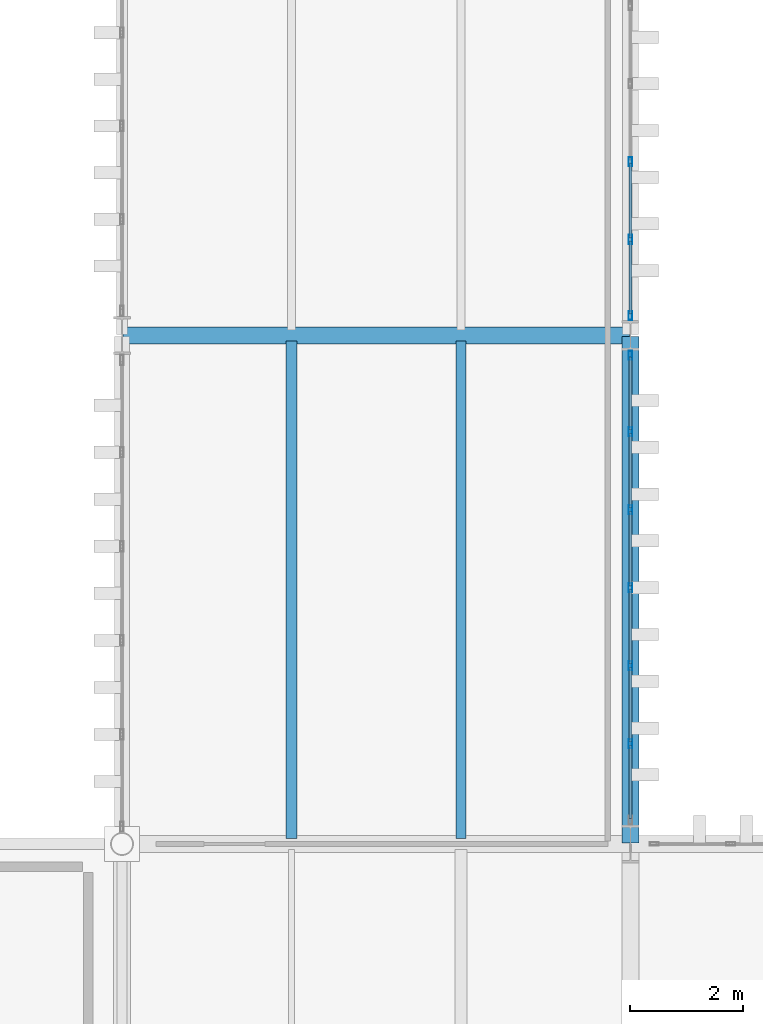
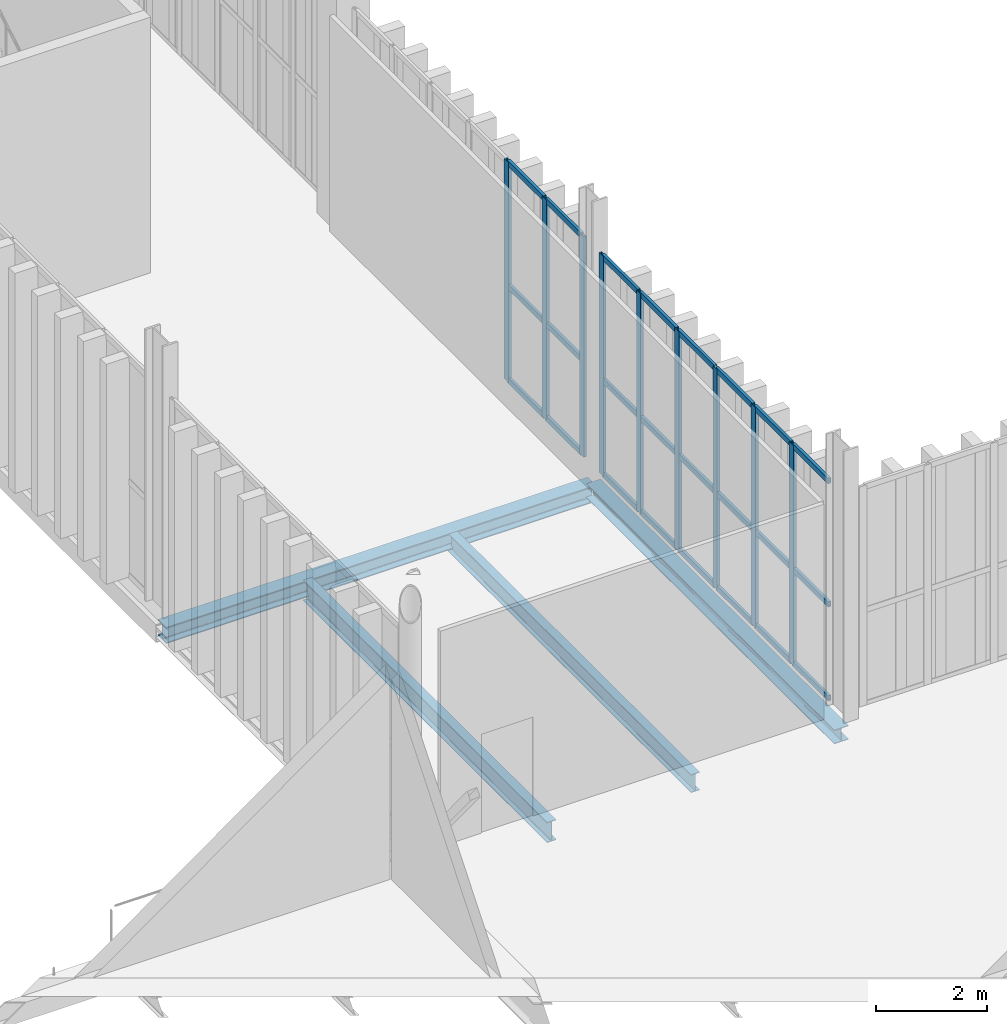
# One storey, part 136 of 237: 33 members, 4 beams, 2 elements without a shape of their own.
"""IFC4 building model written with IfcOpenShell, lengths in metres."""

from ifc_helpers import new_model, si_unit, direction, frame, origin, origin_2d, place, context, subcontext, project, spatial, hollow_rectangle, i_section, extrude, material, layer, layer_set, material_profile, profile_set, type_object, element, aggregate, save


model = new_model("IFC4")

# Units and contexts
model_context = context("Model", 3, precision=1e-05, world=origin(), true_north=direction((0.0, 1.0)))
body_context = subcontext(model_context, "Body", "Model", "MODEL_VIEW")
ifc_project = project(units=[si_unit("LENGTHUNIT", "METRE"), si_unit("AREAUNIT", "SQUARE_METRE"), si_unit("VOLUMEUNIT", "CUBIC_METRE"), si_unit("PLANEANGLEUNIT", "RADIAN"), si_unit("MASSUNIT", "GRAM", prefix="KILO")], contexts=[model_context])

# Site, building, storey
site_placement = place(None, origin())
site = spatial("IfcSite", under=ifc_project, at=site_placement, CompositionType="ELEMENT")
building_placement = place(site_placement, origin())
building = spatial("IfcBuilding", under=site, at=building_placement, Name="Barlavento Convention Centre", CompositionType="ELEMENT")
storey_placement = place(building_placement, frame((0.0, 0.0, 12.0)))
storey = spatial("IfcBuildingStorey", under=building, at=storey_placement, Name="L02", CompositionType="ELEMENT", Elevation=12.0)

# Curtain wall, members
ifc_material_1 = material(Name="Powder-coated aluminium and Low-E glass", Category="aluminium")
ifc_layer = layer(ifc_material_1, 0.195068359375)
ifc_layer_set = layer_set([ifc_layer], Name="ARC-CW-PATIO-A")
curtain_wall_type = type_object("IfcCurtainWallType", Name="ARC-CW-PATIO-A", PredefinedType="NOTDEFINED", material=ifc_layer_set)
curtain_wall_1_placement = place(storey_placement, origin())
curtain_wall_1 = element("IfcCurtainWall", 1, at=curtain_wall_1_placement, inside=storey, type_object=curtain_wall_type, Name="L02 unitised curtain wall CW11", PredefinedType="NOTDEFINED")
ifc_material_2 = material(Name="Powder-coated aluminium", Category="aluminium")
ifc_material_profile_1 = material_profile(ifc_material_2, hollow_rectangle(XDim=0.06005859375, YDim=0.159912109375, WallThickness=0.00390625, at=origin_2d()), Name="AL-MULL 60x160x4")
ifc_profile_set_1 = profile_set([ifc_material_profile_1], Name="Powder-coated aluminium")
member_type_1 = type_object("IfcMemberType", Name="ARC-CWM-60X160", PredefinedType="MULLION", material=ifc_profile_set_1)
member_1_placement = place(storey_placement, frame((135.0, 64.774658203125, 0.0), z_axis=(0.0, 0.0, 1.0), x_axis=(-1.0, 0.0, 0.0)))
member_1 = element("IfcMember", 2, at=member_1_placement, type_object=member_type_1, Name="CW11 mullion 2", PredefinedType="MULLION", context=body_context, shape_type="SweptSolid", body=[
    extrude(hollow_rectangle(XDim=0.06005859375, YDim=0.159912109375, WallThickness=0.00390625, at=origin_2d()), origin(), (0.0, 0.0, 1.0), 4.85009765625),
])
member_2_placement = place(storey_placement, frame((135.0, 66.1552734375, 0.0), z_axis=(0.0, 0.0, 1.0), x_axis=(-1.0, 0.0, 0.0)))
member_2 = element("IfcMember", 3, at=member_2_placement, type_object=member_type_1, Name="CW11 mullion 3", PredefinedType="MULLION", context=body_context, shape_type="SweptSolid", body=[
    extrude(hollow_rectangle(XDim=0.06005859375, YDim=0.159912109375, WallThickness=0.00390625, at=origin_2d()), origin(), (0.0, 0.0, 1.0), 4.85009765625),
])
member_3_placement = place(storey_placement, frame((135.0, 67.535888671875, 0.0), z_axis=(0.0, 0.0, 1.0), x_axis=(-1.0, 0.0, 0.0)))
member_3 = element("IfcMember", 4, at=member_3_placement, type_object=member_type_1, Name="CW11 mullion 4", PredefinedType="MULLION", context=body_context, shape_type="SweptSolid", body=[
    extrude(hollow_rectangle(XDim=0.06005859375, YDim=0.159912109375, WallThickness=0.00390625, at=origin_2d()), origin(), (0.0, 0.0, 1.0), 4.85009765625),
])
member_4_placement = place(storey_placement, frame((135.0, 68.916748046875, 0.0), z_axis=(0.0, 0.0, 1.0), x_axis=(-1.0, 0.0, 0.0)))
member_4 = element("IfcMember", 5, at=member_4_placement, type_object=member_type_1, Name="CW11 mullion 5", PredefinedType="MULLION", context=body_context, shape_type="SweptSolid", body=[
    extrude(hollow_rectangle(XDim=0.06005859375, YDim=0.159912109375, WallThickness=0.00390625, at=origin_2d()), origin(), (0.0, 0.0, 1.0), 4.85009765625),
])
member_5_placement = place(storey_placement, frame((135.0, 70.29736328125, 0.0), z_axis=(0.0, 0.0, 1.0), x_axis=(-1.0, 0.0, 0.0)))
member_5 = element("IfcMember", 6, at=member_5_placement, type_object=member_type_1, Name="CW11 mullion 6", PredefinedType="MULLION", context=body_context, shape_type="SweptSolid", body=[
    extrude(hollow_rectangle(XDim=0.06005859375, YDim=0.159912109375, WallThickness=0.00390625, at=origin_2d()), origin(), (0.0, 0.0, 1.0), 4.85009765625),
])
member_6_placement = place(storey_placement, frame((135.0, 71.64794921875, 0.0), z_axis=(0.0, 0.0, 1.0), x_axis=(-1.0, 0.0, 0.0)))
member_6 = element("IfcMember", 7, at=member_6_placement, type_object=member_type_1, Name="CW11 mullion 7", PredefinedType="MULLION", context=body_context, shape_type="SweptSolid", body=[
    extrude(hollow_rectangle(XDim=0.06005859375, YDim=0.159912109375, WallThickness=0.00390625, at=origin_2d()), origin(), (0.0, 0.0, 1.0), 4.85009765625),
])

curtain_wall_2_placement = place(storey_placement, origin())
curtain_wall_2 = element("IfcCurtainWall", 8, at=curtain_wall_2_placement, inside=storey, type_object=curtain_wall_type, Name="L02 unitised curtain wall CW11", PredefinedType="NOTDEFINED")
member_7_placement = place(storey_placement, frame((135.0, 72.35205078125, 0.0), z_axis=(0.0, 0.0, 1.0), x_axis=(-1.0, 0.0, 0.0)))
member_7 = element("IfcMember", 9, at=member_7_placement, type_object=member_type_1, Name="CW11 mullion 1", PredefinedType="MULLION", context=body_context, shape_type="SweptSolid", body=[
    extrude(hollow_rectangle(XDim=0.06005859375, YDim=0.159912109375, WallThickness=0.00390625, at=origin_2d()), origin(), (0.0, 0.0, 1.0), 4.85009765625),
])
member_8_placement = place(storey_placement, frame((135.0, 73.699951171875, 0.0), z_axis=(0.0, 0.0, 1.0), x_axis=(-1.0, 0.0, 0.0)))
member_8 = element("IfcMember", 10, at=member_8_placement, type_object=member_type_1, Name="CW11 mullion 2", PredefinedType="MULLION", context=body_context, shape_type="SweptSolid", body=[
    extrude(hollow_rectangle(XDim=0.06005859375, YDim=0.159912109375, WallThickness=0.00390625, at=origin_2d()), origin(), (0.0, 0.0, 1.0), 4.85009765625),
])
member_9_placement = place(storey_placement, frame((135.0, 75.077880859375, 0.0), z_axis=(0.0, 0.0, 1.0), x_axis=(-1.0, 0.0, 0.0)))
member_9 = element("IfcMember", 11, at=member_9_placement, type_object=member_type_1, Name="CW11 mullion 3", PredefinedType="MULLION", context=body_context, shape_type="SweptSolid", body=[
    extrude(hollow_rectangle(XDim=0.06005859375, YDim=0.159912109375, WallThickness=0.00390625, at=origin_2d()), origin(), (0.0, 0.0, 1.0), 4.85009765625),
])

# Member
ifc_material_profile_2 = material_profile(ifc_material_2, hollow_rectangle(XDim=0.06005859375, YDim=0.1201171875, WallThickness=0.00390625, at=origin_2d()), Name="AL-TRAN 60x120x4")
ifc_profile_set_2 = profile_set([ifc_material_profile_2], Name="Powder-coated aluminium")
member_type_2 = type_object("IfcMemberType", Name="ARC-CWT-60X120", PredefinedType="USERDEFINED", material=ifc_profile_set_2)
member_10_placement = place(storey_placement, frame((135.0, 63.4541015625, 0.030029296875), z_axis=(0.0, 1.0, 0.0), x_axis=(-1.0, 0.0, 0.0)))
member_10 = element("IfcMember", 12, at=member_10_placement, type_object=member_type_2, Name="CW11 transom 1.1", ObjectType="TRANSOM", PredefinedType="USERDEFINED", context=body_context, shape_type="SweptSolid", body=[
    extrude(hollow_rectangle(XDim=0.06005859375, YDim=0.1201171875, WallThickness=0.00390625, at=origin_2d()), origin(), (0.0, 0.0, 1.0), 1.29052734375),
])

member_11_placement = place(storey_placement, frame((135.0, 63.4541015625, 2.10009765625), z_axis=(0.0, 1.0, 0.0), x_axis=(-1.0, 0.0, 0.0)))
member_11 = element("IfcMember", 13, at=member_11_placement, type_object=member_type_2, Name="CW11 transom 1.2", ObjectType="TRANSOM", PredefinedType="USERDEFINED", context=body_context, shape_type="SweptSolid", body=[
    extrude(hollow_rectangle(XDim=0.06005859375, YDim=0.1201171875, WallThickness=0.00390625, at=origin_2d()), origin(), (0.0, 0.0, 1.0), 1.29052734375),
])

member_12_placement = place(storey_placement, frame((135.0, 63.4541015625, 4.820068359375), z_axis=(0.0, 1.0, 0.0), x_axis=(-1.0, 0.0, 0.0)))
member_12 = element("IfcMember", 14, at=member_12_placement, type_object=member_type_2, Name="CW11 transom 1.3", ObjectType="TRANSOM", PredefinedType="USERDEFINED", context=body_context, shape_type="SweptSolid", body=[
    extrude(hollow_rectangle(XDim=0.06005859375, YDim=0.1201171875, WallThickness=0.00390625, at=origin_2d()), origin(), (0.0, 0.0, 1.0), 1.29052734375),
])

member_13_placement = place(storey_placement, frame((135.0, 64.8046875, 0.030029296875), z_axis=(0.0, 1.0, 0.0), x_axis=(-1.0, 0.0, 0.0)))
member_13 = element("IfcMember", 15, at=member_13_placement, type_object=member_type_2, Name="CW11 transom 2.1", ObjectType="TRANSOM", PredefinedType="USERDEFINED", context=body_context, shape_type="SweptSolid", body=[
    extrude(hollow_rectangle(XDim=0.06005859375, YDim=0.1201171875, WallThickness=0.00390625, at=origin_2d()), origin(), (0.0, 0.0, 1.0), 1.320556640625),
])

member_14_placement = place(storey_placement, frame((135.0, 64.8046875, 2.10009765625), z_axis=(0.0, 1.0, 0.0), x_axis=(-1.0, 0.0, 0.0)))
member_14 = element("IfcMember", 16, at=member_14_placement, type_object=member_type_2, Name="CW11 transom 2.2", ObjectType="TRANSOM", PredefinedType="USERDEFINED", context=body_context, shape_type="SweptSolid", body=[
    extrude(hollow_rectangle(XDim=0.06005859375, YDim=0.1201171875, WallThickness=0.00390625, at=origin_2d()), origin(), (0.0, 0.0, 1.0), 1.320556640625),
])

member_15_placement = place(storey_placement, frame((135.0, 64.8046875, 4.820068359375), z_axis=(0.0, 1.0, 0.0), x_axis=(-1.0, 0.0, 0.0)))
member_15 = element("IfcMember", 17, at=member_15_placement, type_object=member_type_2, Name="CW11 transom 2.3", ObjectType="TRANSOM", PredefinedType="USERDEFINED", context=body_context, shape_type="SweptSolid", body=[
    extrude(hollow_rectangle(XDim=0.06005859375, YDim=0.1201171875, WallThickness=0.00390625, at=origin_2d()), origin(), (0.0, 0.0, 1.0), 1.320556640625),
])

member_16_placement = place(storey_placement, frame((135.0, 66.185302734375, 0.030029296875), z_axis=(0.0, 1.0, 0.0), x_axis=(-1.0, 0.0, 0.0)))
member_16 = element("IfcMember", 18, at=member_16_placement, type_object=member_type_2, Name="CW11 transom 3.1", ObjectType="TRANSOM", PredefinedType="USERDEFINED", context=body_context, shape_type="SweptSolid", body=[
    extrude(hollow_rectangle(XDim=0.06005859375, YDim=0.1201171875, WallThickness=0.00390625, at=origin_2d()), origin(), (0.0, 0.0, 1.0), 1.32080078125),
])

member_17_placement = place(storey_placement, frame((135.0, 66.185302734375, 2.10009765625), z_axis=(0.0, 1.0, 0.0), x_axis=(-1.0, 0.0, 0.0)))
member_17 = element("IfcMember", 19, at=member_17_placement, type_object=member_type_2, Name="CW11 transom 3.2", ObjectType="TRANSOM", PredefinedType="USERDEFINED", context=body_context, shape_type="SweptSolid", body=[
    extrude(hollow_rectangle(XDim=0.06005859375, YDim=0.1201171875, WallThickness=0.00390625, at=origin_2d()), origin(), (0.0, 0.0, 1.0), 1.32080078125),
])

member_18_placement = place(storey_placement, frame((135.0, 66.185302734375, 4.820068359375), z_axis=(0.0, 1.0, 0.0), x_axis=(-1.0, 0.0, 0.0)))
member_18 = element("IfcMember", 20, at=member_18_placement, type_object=member_type_2, Name="CW11 transom 3.3", ObjectType="TRANSOM", PredefinedType="USERDEFINED", context=body_context, shape_type="SweptSolid", body=[
    extrude(hollow_rectangle(XDim=0.06005859375, YDim=0.1201171875, WallThickness=0.00390625, at=origin_2d()), origin(), (0.0, 0.0, 1.0), 1.32080078125),
])

member_19_placement = place(storey_placement, frame((135.0, 67.56591796875, 0.030029296875), z_axis=(0.0, 1.0, 0.0), x_axis=(-1.0, 0.0, 0.0)))
member_19 = element("IfcMember", 21, at=member_19_placement, type_object=member_type_2, Name="CW11 transom 4.1", ObjectType="TRANSOM", PredefinedType="USERDEFINED", context=body_context, shape_type="SweptSolid", body=[
    extrude(hollow_rectangle(XDim=0.06005859375, YDim=0.1201171875, WallThickness=0.00390625, at=origin_2d()), origin(), (0.0, 0.0, 1.0), 1.32080078125),
])

member_20_placement = place(storey_placement, frame((135.0, 67.56591796875, 2.10009765625), z_axis=(0.0, 1.0, 0.0), x_axis=(-1.0, 0.0, 0.0)))
member_20 = element("IfcMember", 22, at=member_20_placement, type_object=member_type_2, Name="CW11 transom 4.2", ObjectType="TRANSOM", PredefinedType="USERDEFINED", context=body_context, shape_type="SweptSolid", body=[
    extrude(hollow_rectangle(XDim=0.06005859375, YDim=0.1201171875, WallThickness=0.00390625, at=origin_2d()), origin(), (0.0, 0.0, 1.0), 1.32080078125),
])

member_21_placement = place(storey_placement, frame((135.0, 67.56591796875, 4.820068359375), z_axis=(0.0, 1.0, 0.0), x_axis=(-1.0, 0.0, 0.0)))
member_21 = element("IfcMember", 23, at=member_21_placement, type_object=member_type_2, Name="CW11 transom 4.3", ObjectType="TRANSOM", PredefinedType="USERDEFINED", context=body_context, shape_type="SweptSolid", body=[
    extrude(hollow_rectangle(XDim=0.06005859375, YDim=0.1201171875, WallThickness=0.00390625, at=origin_2d()), origin(), (0.0, 0.0, 1.0), 1.32080078125),
])

member_22_placement = place(storey_placement, frame((135.0, 68.94677734375, 0.030029296875), z_axis=(0.0, 1.0, 0.0), x_axis=(-1.0, 0.0, 0.0)))
member_22 = element("IfcMember", 24, at=member_22_placement, type_object=member_type_2, Name="CW11 transom 5.1", ObjectType="TRANSOM", PredefinedType="USERDEFINED", context=body_context, shape_type="SweptSolid", body=[
    extrude(hollow_rectangle(XDim=0.06005859375, YDim=0.1201171875, WallThickness=0.00390625, at=origin_2d()), origin(), (0.0, 0.0, 1.0), 1.320556640625),
])

member_23_placement = place(storey_placement, frame((135.0, 68.94677734375, 2.10009765625), z_axis=(0.0, 1.0, 0.0), x_axis=(-1.0, 0.0, 0.0)))
member_23 = element("IfcMember", 25, at=member_23_placement, type_object=member_type_2, Name="CW11 transom 5.2", ObjectType="TRANSOM", PredefinedType="USERDEFINED", context=body_context, shape_type="SweptSolid", body=[
    extrude(hollow_rectangle(XDim=0.06005859375, YDim=0.1201171875, WallThickness=0.00390625, at=origin_2d()), origin(), (0.0, 0.0, 1.0), 1.320556640625),
])

member_24_placement = place(storey_placement, frame((135.0, 68.94677734375, 4.820068359375), z_axis=(0.0, 1.0, 0.0), x_axis=(-1.0, 0.0, 0.0)))
member_24 = element("IfcMember", 26, at=member_24_placement, type_object=member_type_2, Name="CW11 transom 5.3", ObjectType="TRANSOM", PredefinedType="USERDEFINED", context=body_context, shape_type="SweptSolid", body=[
    extrude(hollow_rectangle(XDim=0.06005859375, YDim=0.1201171875, WallThickness=0.00390625, at=origin_2d()), origin(), (0.0, 0.0, 1.0), 1.320556640625),
])

member_25_placement = place(storey_placement, frame((135.0, 70.327392578125, 0.030029296875), z_axis=(0.0, 1.0, 0.0), x_axis=(-1.0, 0.0, 0.0)))
member_25 = element("IfcMember", 27, at=member_25_placement, type_object=member_type_2, Name="CW11 transom 6.1", ObjectType="TRANSOM", PredefinedType="USERDEFINED", context=body_context, shape_type="SweptSolid", body=[
    extrude(hollow_rectangle(XDim=0.06005859375, YDim=0.1201171875, WallThickness=0.00390625, at=origin_2d()), origin(), (0.0, 0.0, 1.0), 1.29052734375),
])

member_26_placement = place(storey_placement, frame((135.0, 70.327392578125, 2.10009765625), z_axis=(0.0, 1.0, 0.0), x_axis=(-1.0, 0.0, 0.0)))
member_26 = element("IfcMember", 28, at=member_26_placement, type_object=member_type_2, Name="CW11 transom 6.2", ObjectType="TRANSOM", PredefinedType="USERDEFINED", context=body_context, shape_type="SweptSolid", body=[
    extrude(hollow_rectangle(XDim=0.06005859375, YDim=0.1201171875, WallThickness=0.00390625, at=origin_2d()), origin(), (0.0, 0.0, 1.0), 1.29052734375),
])

member_27_placement = place(storey_placement, frame((135.0, 70.327392578125, 4.820068359375), z_axis=(0.0, 1.0, 0.0), x_axis=(-1.0, 0.0, 0.0)))
member_27 = element("IfcMember", 29, at=member_27_placement, type_object=member_type_2, Name="CW11 transom 6.3", ObjectType="TRANSOM", PredefinedType="USERDEFINED", context=body_context, shape_type="SweptSolid", body=[
    extrude(hollow_rectangle(XDim=0.06005859375, YDim=0.1201171875, WallThickness=0.00390625, at=origin_2d()), origin(), (0.0, 0.0, 1.0), 1.29052734375),
])

aggregate(curtain_wall_1, [member_1, member_2, member_3, member_4, member_5, member_6, member_10, member_11, member_12, member_13, member_14, member_15, member_16, member_17, member_18, member_19, member_20, member_21, member_22, member_23, member_24, member_25, member_26, member_27])

member_28_placement = place(storey_placement, frame((135.0, 72.382080078125, 0.030029296875), z_axis=(0.0, 1.0, 0.0), x_axis=(-1.0, 0.0, 0.0)))
member_28 = element("IfcMember", 30, at=member_28_placement, type_object=member_type_2, Name="CW11 transom 1.1", ObjectType="TRANSOM", PredefinedType="USERDEFINED", context=body_context, shape_type="SweptSolid", body=[
    extrude(hollow_rectangle(XDim=0.06005859375, YDim=0.1201171875, WallThickness=0.00390625, at=origin_2d()), origin(), (0.0, 0.0, 1.0), 1.287841796875),
])

member_29_placement = place(storey_placement, frame((135.0, 72.382080078125, 2.10009765625), z_axis=(0.0, 1.0, 0.0), x_axis=(-1.0, 0.0, 0.0)))
member_29 = element("IfcMember", 31, at=member_29_placement, type_object=member_type_2, Name="CW11 transom 1.2", ObjectType="TRANSOM", PredefinedType="USERDEFINED", context=body_context, shape_type="SweptSolid", body=[
    extrude(hollow_rectangle(XDim=0.06005859375, YDim=0.1201171875, WallThickness=0.00390625, at=origin_2d()), origin(), (0.0, 0.0, 1.0), 1.287841796875),
])

member_30_placement = place(storey_placement, frame((135.0, 72.382080078125, 4.820068359375), z_axis=(0.0, 1.0, 0.0), x_axis=(-1.0, 0.0, 0.0)))
member_30 = element("IfcMember", 32, at=member_30_placement, type_object=member_type_2, Name="CW11 transom 1.3", ObjectType="TRANSOM", PredefinedType="USERDEFINED", context=body_context, shape_type="SweptSolid", body=[
    extrude(hollow_rectangle(XDim=0.06005859375, YDim=0.1201171875, WallThickness=0.00390625, at=origin_2d()), origin(), (0.0, 0.0, 1.0), 1.287841796875),
])

member_31_placement = place(storey_placement, frame((135.0, 73.72998046875, 0.030029296875), z_axis=(0.0, 1.0, 0.0), x_axis=(-1.0, 0.0, 0.0)))
member_31 = element("IfcMember", 33, at=member_31_placement, type_object=member_type_2, Name="CW11 transom 2.1", ObjectType="TRANSOM", PredefinedType="USERDEFINED", context=body_context, shape_type="SweptSolid", body=[
    extrude(hollow_rectangle(XDim=0.06005859375, YDim=0.1201171875, WallThickness=0.00390625, at=origin_2d()), origin(), (0.0, 0.0, 1.0), 1.318115234375),
])

member_32_placement = place(storey_placement, frame((135.0, 73.72998046875, 2.10009765625), z_axis=(0.0, 1.0, 0.0), x_axis=(-1.0, 0.0, 0.0)))
member_32 = element("IfcMember", 34, at=member_32_placement, type_object=member_type_2, Name="CW11 transom 2.2", ObjectType="TRANSOM", PredefinedType="USERDEFINED", context=body_context, shape_type="SweptSolid", body=[
    extrude(hollow_rectangle(XDim=0.06005859375, YDim=0.1201171875, WallThickness=0.00390625, at=origin_2d()), origin(), (0.0, 0.0, 1.0), 1.318115234375),
])

member_33_placement = place(storey_placement, frame((135.0, 73.72998046875, 4.820068359375), z_axis=(0.0, 1.0, 0.0), x_axis=(-1.0, 0.0, 0.0)))
member_33 = element("IfcMember", 35, at=member_33_placement, type_object=member_type_2, Name="CW11 transom 2.3", ObjectType="TRANSOM", PredefinedType="USERDEFINED", context=body_context, shape_type="SweptSolid", body=[
    extrude(hollow_rectangle(XDim=0.06005859375, YDim=0.1201171875, WallThickness=0.00390625, at=origin_2d()), origin(), (0.0, 0.0, 1.0), 1.318115234375),
])

aggregate(curtain_wall_2, [member_7, member_8, member_9, member_28, member_29, member_30, member_31, member_32, member_33])

# Beams
ifc_material_3 = material(Name="Steel S355", Category="steel")
ifc_material_profile_3 = material_profile(ifc_material_3, i_section(OverallWidth=0.179931640625, OverallDepth=0.39990234375, WebThickness=0.008544921875, FlangeThickness=0.013427734375, FilletRadius=0.02099609375, at=origin_2d()), Name="IPE 400")
ifc_profile_set_3 = profile_set([ifc_material_profile_3], Name="Steel S355")
beam_type_1 = type_object("IfcBeamType", Name="STR-BM-JST-IPE400", PredefinedType="JOIST", material=ifc_profile_set_3)
beam_1_placement = place(storey_placement, frame((132.0, 63.094970703125, -0.56005859375), z_axis=(0.0, 1.0, 0.0), x_axis=(-1.0, 0.0, 0.0)))
element("IfcBeam", 36, at=beam_1_placement, inside=storey, type_object=beam_type_1, Name="L02 composite floor joist SJ04", PredefinedType="JOIST", context=body_context, shape_type="SweptSolid", body=[
    extrude(i_section(OverallWidth=0.179931640625, OverallDepth=0.39990234375, WebThickness=0.008544921875, FlangeThickness=0.013427734375, FilletRadius=0.02099609375, at=origin_2d()), origin(), (0.0, 0.0, 1.0), 8.81005859375),
])
ifc_material_profile_4 = material_profile(ifc_material_3, i_section(OverallWidth=0.18994140625, OverallDepth=0.449951171875, WebThickness=0.009521484375, FlangeThickness=0.0146484375, FilletRadius=0.02099609375, at=origin_2d()), Name="IPE 450")
ifc_profile_set_4 = profile_set([ifc_material_profile_4], Name="Steel S355")
beam_type_2 = type_object("IfcBeamType", Name="STR-BM-JST-IPE450", PredefinedType="JOIST", material=ifc_profile_set_4)
beam_2_placement = place(storey_placement, frame((129.0, 63.094970703125, -0.5849609375), z_axis=(0.0, 1.0, 0.0), x_axis=(-1.0, 0.0, 0.0)))
element("IfcBeam", 37, at=beam_2_placement, inside=storey, type_object=beam_type_2, Name="L02 composite floor joist SJ03", PredefinedType="JOIST", context=body_context, shape_type="SweptSolid", body=[
    extrude(i_section(OverallWidth=0.18994140625, OverallDepth=0.449951171875, WebThickness=0.009521484375, FlangeThickness=0.0146484375, FilletRadius=0.02099609375, at=origin_2d()), origin(), (0.0, 0.0, 1.0), 8.81005859375),
])
ifc_material_profile_5 = material_profile(ifc_material_3, i_section(OverallWidth=0.300048828125, OverallDepth=0.360107421875, WebThickness=0.012451171875, FlangeThickness=0.0224609375, FilletRadius=0.027099609375, at=origin_2d()), Name="HEB 360")
ifc_profile_set_5 = profile_set([ifc_material_profile_5], Name="Steel S355")
beam_type_3 = type_object("IfcBeamType", Name="STR-BM-PRI-HEB360", PredefinedType="BEAM", material=ifc_profile_set_5)
beam_3_placement = place(storey_placement, frame((126.02001953125, 72.0, -0.5400390625), z_axis=(1.0, 0.0, 0.0), x_axis=(0.0, 1.0, 0.0)))
element("IfcBeam", 38, at=beam_3_placement, inside=storey, type_object=beam_type_3, Name="L02 primary girder BG12", PredefinedType="BEAM", context=body_context, shape_type="SweptSolid", body=[
    extrude(i_section(OverallWidth=0.300048828125, OverallDepth=0.360107421875, WebThickness=0.012451171875, FlangeThickness=0.0224609375, FilletRadius=0.027099609375, at=origin_2d()), origin(), (0.0, 0.0, 1.0), 8.9599609375),
])
ifc_material_profile_6 = material_profile(ifc_material_3, i_section(OverallWidth=0.300048828125, OverallDepth=0.31005859375, WebThickness=0.009033203125, FlangeThickness=0.015380859375, FilletRadius=0.027099609375, at=origin_2d()), Name="HEA 320")
ifc_profile_set_6 = profile_set([ifc_material_profile_6], Name="Steel S355")
beam_type_4 = type_object("IfcBeamType", Name="STR-BM-SPN-HEA320", PredefinedType="SPANDREL", material=ifc_profile_set_6)
beam_4_placement = place(storey_placement, frame((135.0, 63.02001953125, -0.514892578125), z_axis=(0.0, 1.0, 0.0), x_axis=(-1.0, 0.0, 0.0)))
element("IfcBeam", 39, at=beam_4_placement, inside=storey, type_object=beam_type_4, Name="L02 grid girder SP01", PredefinedType="SPANDREL", context=body_context, shape_type="SweptSolid", body=[
    extrude(i_section(OverallWidth=0.300048828125, OverallDepth=0.31005859375, WebThickness=0.009033203125, FlangeThickness=0.015380859375, FilletRadius=0.027099609375, at=origin_2d()), origin(), (0.0, 0.0, 1.0), 8.9599609375),
])

save(model, "model.ifc")
